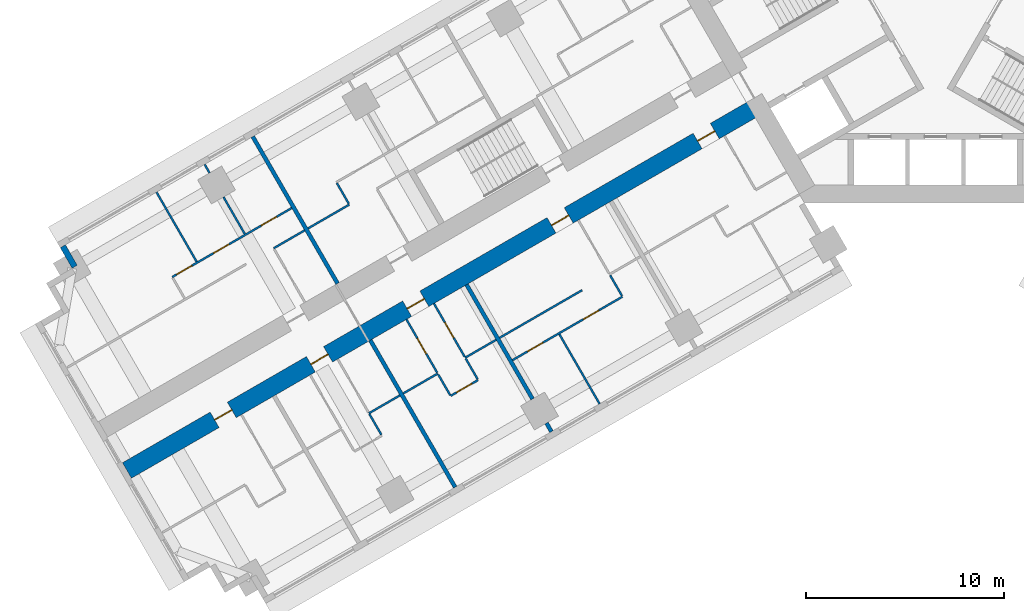
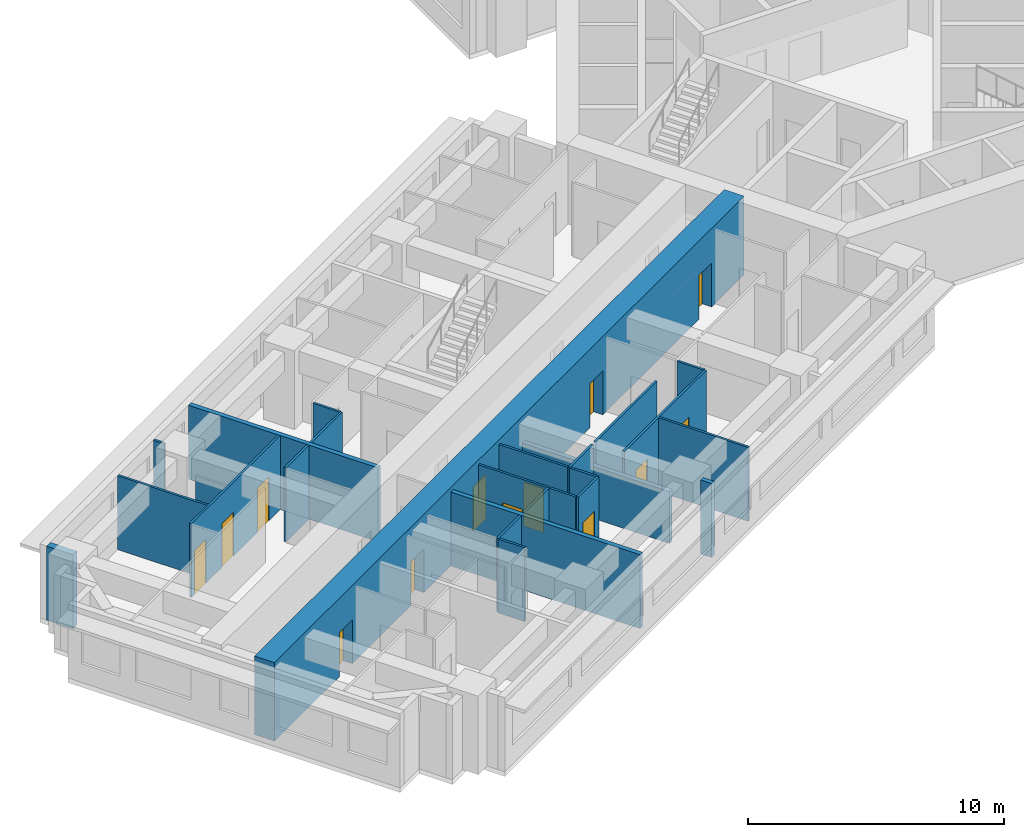
# One storey, part 4 of 16: 26 walls, 13 doors, 13 openings.
"""IFC4 building model written with IfcOpenShell, lengths in metres."""

from ifc_helpers import new_model, si_unit, direction, frame, frame_2d, origin, place, context, subcontext, project, spatial, rectangle, extrude, material, layer, layer_set, type_object, element, fill, save


model = new_model("IFC4")

# Units and contexts
model_context = context("Model", 3, precision=1e-05, world=origin(), true_north=direction((0.0, 1.0)))
body_context = subcontext(model_context, "Body", "Model", "MODEL_VIEW")
ifc_project = project(units=[si_unit("LENGTHUNIT", "METRE"), si_unit("AREAUNIT", "SQUARE_METRE"), si_unit("VOLUMEUNIT", "CUBIC_METRE"), si_unit("PLANEANGLEUNIT", "RADIAN"), si_unit("MASSUNIT", "GRAM", prefix="KILO")], contexts=[model_context])

# Site, building, storey
site_placement = place(None, origin())
site = spatial("IfcSite", under=ifc_project, at=site_placement, CompositionType="ELEMENT")
building_placement = place(site_placement, origin())
building = spatial("IfcBuilding", under=site, at=building_placement, Name="Impinga Residences", CompositionType="ELEMENT")
storey_placement = place(building_placement, frame((0.0, 0.0, 71.0)))
storey = spatial("IfcBuildingStorey", under=building, at=storey_placement, Name="L17", CompositionType="ELEMENT", Elevation=71.0)

# Wall, openings, doors
ifc_material_1 = material(Name="Concrete C70/85", Category="concrete")
ifc_layer_1 = layer(ifc_material_1, 0.89990234375)
ifc_layer_set_1 = layer_set([ifc_layer_1], Name="Concrete C70/85")
wall_type_1 = type_object("IfcWallType", Name="BW1 corridor buttress wall, L05 to L22 900", PredefinedType="SHEAR", material=ifc_layer_set_1)
wall_1_placement = place(storey_placement, frame((-8.910400390625, -6.530029296875, 0.0), z_axis=(0.0, 0.0, 1.0), x_axis=(-0.866025284237, -0.500000207062, 0.0)))
wall_1 = element("IfcWall", 1, at=wall_1_placement, inside=storey, type_object=wall_type_1, Name="Corridor wall BW1 WC L17", PredefinedType="SHEAR", context=body_context, shape_type="SweptSolid", body=[
    extrude(rectangle(XDim=36.75, YDim=0.89990234375, at=frame_2d((18.375, 0.0))), origin(), (0.0, 0.0, 1.0), 3.75),
])
opening_1_placement = place(wall_1_placement, frame((2.550048828125, 0.0, 0.0)))
opening_1 = element("IfcOpeningElement", 2, at=opening_1_placement, cuts=wall_1, Name="Opening D1", PredefinedType="OPENING", context=body_context, shape_type="SweptSolid", body=[
    extrude(rectangle(XDim=1.0, YDim=2.10009765625, at=frame_2d((0.5, 1.050048828125))), frame((0.0, 0.4599609375, 0.0), z_axis=(0.0, -1.0, 0.0), x_axis=(1.0, 0.0, 0.0)), (0.0, 0.0, 1.0), 0.919921875),
])
opening_2_placement = place(wall_1_placement, frame((11.050048828125, 0.0, 0.0)))
opening_2 = element("IfcOpeningElement", 3, at=opening_2_placement, cuts=wall_1, Name="Opening D1", PredefinedType="OPENING", context=body_context, shape_type="SweptSolid", body=[
    extrude(rectangle(XDim=1.0, YDim=2.10009765625, at=frame_2d((0.5, 1.050048828125))), frame((0.0, 0.4599609375, 0.0), z_axis=(0.0, -1.0, 0.0), x_axis=(1.0, 0.0, 0.0)), (0.0, 0.0, 1.0), 0.919921875),
])
opening_3_placement = place(wall_1_placement, frame((19.449951171875, 0.0, 0.0)))
opening_3 = element("IfcOpeningElement", 4, at=opening_3_placement, cuts=wall_1, Name="Opening D1", PredefinedType="OPENING", context=body_context, shape_type="SweptSolid", body=[
    extrude(rectangle(XDim=1.0, YDim=2.10009765625, at=frame_2d((0.5, 1.050048828125))), frame((0.0, 0.4599609375, 0.0), z_axis=(0.0, -1.0, 0.0), x_axis=(1.0, 0.0, 0.0)), (0.0, 0.0, 1.0), 0.919921875),
])
opening_4_placement = place(wall_1_placement, frame((25.050048828125, 0.0, 0.0)))
opening_4 = element("IfcOpeningElement", 5, at=opening_4_placement, cuts=wall_1, Name="Opening D1", PredefinedType="OPENING", context=body_context, shape_type="SweptSolid", body=[
    extrude(rectangle(XDim=1.0, YDim=2.10009765625, at=frame_2d((0.5, 1.050048828125))), frame((0.0, 0.4599609375, 0.0), z_axis=(0.0, -1.0, 0.0), x_axis=(1.0, 0.0, 0.0)), (0.0, 0.0, 1.0), 0.919921875),
])
opening_5_placement = place(wall_1_placement, frame((30.64990234375, 0.0, 0.0)))
opening_5 = element("IfcOpeningElement", 6, at=opening_5_placement, cuts=wall_1, Name="Opening D1", PredefinedType="OPENING", context=body_context, shape_type="SweptSolid", body=[
    extrude(rectangle(XDim=1.0, YDim=2.10009765625, at=frame_2d((0.5, 1.050048828125))), frame((0.0, 0.4599609375, 0.0), z_axis=(0.0, -1.0, 0.0), x_axis=(1.0, 0.0, 0.0)), (0.0, 0.0, 1.0), 0.919921875),
])
ifc_material_2 = material(Name="Timber door set", Category="wood")
door_type_1 = type_object("IfcDoorType", Name="D1 apartment entrance door 1000x2100", OperationType="SINGLE_SWING_LEFT", PredefinedType="DOOR", material=ifc_material_2)
door_1_placement = place(opening_1_placement, origin())
door_1 = element("IfcDoor", 7, at=door_1_placement, inside=storey, type_object=door_type_1, Name="Apartment L17-WA1 entrance", OperationType="SINGLE_SWING_LEFT", OverallHeight=2.10009765625, OverallWidth=1.0, PredefinedType="DOOR", context=body_context, shape_type="SweptSolid", body=[
    extrude(rectangle(XDim=1.0, YDim=2.10009765625, at=frame_2d((0.5, 1.050048828125))), frame((0.0, 0.02490234375, 0.0), z_axis=(0.0, -1.0, 0.0), x_axis=(1.0, 0.0, 0.0)), (0.0, 0.0, 1.0), 0.050048828125),
])
fill(opening_1, door_1)
door_2_placement = place(opening_2_placement, origin())
door_2 = element("IfcDoor", 8, at=door_2_placement, inside=storey, type_object=door_type_1, Name="Apartment L17-WA2 entrance", OperationType="SINGLE_SWING_LEFT", OverallHeight=2.10009765625, OverallWidth=1.0, PredefinedType="DOOR", context=body_context, shape_type="SweptSolid", body=[
    extrude(rectangle(XDim=1.0, YDim=2.10009765625, at=frame_2d((0.5, 1.050048828125))), frame((0.0, 0.02490234375, 0.0), z_axis=(0.0, -1.0, 0.0), x_axis=(1.0, 0.0, 0.0)), (0.0, 0.0, 1.0), 0.050048828125),
])
fill(opening_2, door_2)
door_3_placement = place(opening_3_placement, origin())
door_3 = element("IfcDoor", 9, at=door_3_placement, inside=storey, type_object=door_type_1, Name="Apartment L17-WA3 entrance", OperationType="SINGLE_SWING_RIGHT", OverallHeight=2.10009765625, OverallWidth=1.0, PredefinedType="DOOR", context=body_context, shape_type="SweptSolid", body=[
    extrude(rectangle(XDim=1.0, YDim=2.10009765625, at=frame_2d((0.5, 1.050048828125))), frame((0.0, 0.02490234375, 0.0), z_axis=(0.0, -1.0, 0.0), x_axis=(1.0, 0.0, 0.0)), (0.0, 0.0, 1.0), 0.050048828125),
])
fill(opening_3, door_3)
door_4_placement = place(opening_4_placement, origin())
door_4 = element("IfcDoor", 10, at=door_4_placement, inside=storey, type_object=door_type_1, Name="Apartment L17-WA4 entrance", OperationType="SINGLE_SWING_RIGHT", OverallHeight=2.10009765625, OverallWidth=1.0, PredefinedType="DOOR", context=body_context, shape_type="SweptSolid", body=[
    extrude(rectangle(XDim=1.0, YDim=2.10009765625, at=frame_2d((0.5, 1.050048828125))), frame((0.0, 0.02490234375, 0.0), z_axis=(0.0, -1.0, 0.0), x_axis=(1.0, 0.0, 0.0)), (0.0, 0.0, 1.0), 0.050048828125),
])
fill(opening_4, door_4)
door_5_placement = place(opening_5_placement, origin())
door_5 = element("IfcDoor", 11, at=door_5_placement, inside=storey, type_object=door_type_1, Name="Apartment L17-WA5 entrance", OperationType="SINGLE_SWING_RIGHT", OverallHeight=2.10009765625, OverallWidth=1.0, PredefinedType="DOOR", context=body_context, shape_type="SweptSolid", body=[
    extrude(rectangle(XDim=1.0, YDim=2.10009765625, at=frame_2d((0.5, 1.050048828125))), frame((0.0, 0.02490234375, 0.0), z_axis=(0.0, -1.0, 0.0), x_axis=(1.0, 0.0, 0.0)), (0.0, 0.0, 1.0), 0.050048828125),
])
fill(opening_5, door_5)

# Walls
ifc_material_3 = material(Name="Terracotta rainscreen on blockwork", Category="masonry")
ifc_layer_2 = layer(ifc_material_3, 0.300048828125)
ifc_layer_set_2 = layer_set([ifc_layer_2], Name="EW1 external wall, terracotta rainscreen on blockwork 300")
wall_type_2 = type_object("IfcWallType", Name="EW1 external wall, terracotta rainscreen on blockwork 300", PredefinedType="SOLIDWALL", material=ifc_layer_set_2)
wall_2_placement = place(storey_placement, frame((-43.37109375, -14.64208984375, 0.0), z_axis=(0.0, 0.0, 1.0), x_axis=(-0.500029051137, 0.866008630453, 0.0)))
element("IfcWall", 12, at=wall_2_placement, inside=storey, type_object=wall_type_2, Name="External wall EW1 L17", PredefinedType="SOLIDWALL", context=body_context, shape_type="SweptSolid", body=[
    extrude(rectangle(XDim=1.19482421875, YDim=0.300048828125, at=frame_2d((0.597412109375, 0.0))), origin(), (0.0, 0.0, 1.0), 3.530029296875),
])
ifc_material_4 = material(Name="Gypsum board on steel studs", Category="steel")
ifc_layer_3 = layer(ifc_material_4, 0.10009765625)
ifc_layer_set_3 = layer_set([ifc_layer_3], Name="Gypsum board on steel studs")
wall_type_3 = type_object("IfcWallType", Name="IP1 partition 100", PredefinedType="PARTITIONING", material=ifc_layer_set_3)
wall_3_placement = place(storey_placement, frame((-17.8056640625, -15.82275390625, 0.0), z_axis=(0.0, 0.0, 1.0), x_axis=(-0.866037363387, -0.499979284789, 0.0)))
element("IfcWall", 13, at=wall_3_placement, inside=storey, type_object=wall_type_3, Name="Partition L17-WA2:DIV1", PredefinedType="PARTITIONING", context=body_context, shape_type="SweptSolid", body=[
    extrude(rectangle(XDim=4.800048828125, YDim=0.10009765625, at=frame_2d((2.39990234375, 0.0))), origin(), (0.0, 0.0, 1.0), 3.530029296875),
])

# Wall, openings, doors
wall_4_placement = place(storey_placement, frame((-15.77001953125, -16.1484375, 0.0), z_axis=(0.0, 0.0, 1.0), x_axis=(-0.866018518567, -0.500011925357, 0.0)))
wall_4 = element("IfcWall", 14, at=wall_4_placement, inside=storey, type_object=wall_type_3, Name="Partition L17-WA2:STRIP", PredefinedType="PARTITIONING", context=body_context, shape_type="SweptSolid", body=[
    extrude(rectangle(XDim=6.400146484375, YDim=0.10009765625, at=frame_2d((3.2001953125, 0.0))), origin(), (0.0, 0.0, 1.0), 3.530029296875),
])
opening_6_placement = place(wall_4_placement, frame((1.375, 0.0, 0.0)))
opening_6 = element("IfcOpeningElement", 15, at=opening_6_placement, cuts=wall_4, Name="Opening D2", PredefinedType="OPENING", context=body_context, shape_type="SweptSolid", body=[
    extrude(rectangle(XDim=0.89990234375, YDim=2.10009765625, at=frame_2d((0.449951171875, 1.050048828125))), frame((0.0, 0.06005859375, 0.0), z_axis=(0.0, -1.0, 0.0), x_axis=(1.0, 0.0, 0.0)), (0.0, 0.0, 1.0), 0.1201171875),
])
opening_7_placement = place(wall_4_placement, frame((4.625, 0.0, 0.0)))
opening_7 = element("IfcOpeningElement", 16, at=opening_7_placement, cuts=wall_4, Name="Opening D2", PredefinedType="OPENING", context=body_context, shape_type="SweptSolid", body=[
    extrude(rectangle(XDim=0.89990234375, YDim=2.10009765625, at=frame_2d((0.449951171875, 1.050048828125))), frame((0.0, 0.06005859375, 0.0), z_axis=(0.0, -1.0, 0.0), x_axis=(1.0, 0.0, 0.0)), (0.0, 0.0, 1.0), 0.1201171875),
])
door_type_2 = type_object("IfcDoorType", Name="D2 internal door 900x2100", OperationType="SINGLE_SWING_LEFT", PredefinedType="DOOR", material=ifc_material_2)
door_6_placement = place(opening_6_placement, origin())
door_6 = element("IfcDoor", 17, at=door_6_placement, inside=storey, type_object=door_type_2, Name="Apartment L17-WA2 room door", OperationType="SINGLE_SWING_LEFT", OverallHeight=2.10009765625, OverallWidth=0.89990234375, PredefinedType="DOOR", context=body_context, shape_type="SweptSolid", body=[
    extrude(rectangle(XDim=0.89990234375, YDim=2.10009765625, at=frame_2d((0.449951171875, 1.050048828125))), frame((0.0, 0.02490234375, 0.0), z_axis=(0.0, -1.0, 0.0), x_axis=(1.0, 0.0, 0.0)), (0.0, 0.0, 1.0), 0.050048828125),
])
fill(opening_6, door_6)
door_7_placement = place(opening_7_placement, origin())
door_7 = element("IfcDoor", 18, at=door_7_placement, inside=storey, type_object=door_type_2, Name="Apartment L17-WA2 room door", OperationType="SINGLE_SWING_RIGHT", OverallHeight=2.10009765625, OverallWidth=0.89990234375, PredefinedType="DOOR", context=body_context, shape_type="SweptSolid", body=[
    extrude(rectangle(XDim=0.89990234375, YDim=2.10009765625, at=frame_2d((0.449951171875, 1.050048828125))), frame((0.0, 0.02490234375, 0.0), z_axis=(0.0, -1.0, 0.0), x_axis=(1.0, 0.0, 0.0)), (0.0, 0.0, 1.0), 0.050048828125),
])
fill(opening_7, door_7)

# Walls
wall_5_placement = place(storey_placement, frame((-16.39501953125, -15.06591796875, 0.0), z_axis=(0.0, 0.0, 1.0), x_axis=(0.499880961361, -0.866094119867, 0.0)))
element("IfcWall", 19, at=wall_5_placement, inside=storey, type_object=wall_type_3, Name="Partition L17-WA2:SE0", PredefinedType="PARTITIONING", context=body_context, shape_type="SweptSolid", body=[
    extrude(rectangle(XDim=1.199951171875, YDim=0.10009765625, at=frame_2d((0.60009765625, 0.0))), origin(), (0.0, 0.0, 1.0), 3.530029296875),
])
wall_6_placement = place(storey_placement, frame((-18.949462890625, -18.041748046875, 0.0), z_axis=(0.0, 0.0, 1.0), x_axis=(0.50000943426, -0.866019956843, 0.0)))
element("IfcWall", 20, at=wall_6_placement, inside=storey, type_object=wall_type_3, Name="Partition L17-WA2:OB1", PredefinedType="PARTITIONING", context=body_context, shape_type="SweptSolid", body=[
    extrude(rectangle(XDim=4.05029296875, YDim=0.10009765625, at=frame_2d((2.025146484375, 0.0))), origin(), (0.0, 0.0, 1.0), 3.530029296875),
])
wall_7_placement = place(storey_placement, frame((-22.1357421875, -18.32275390625, 0.0), z_axis=(0.0, 0.0, 1.0), x_axis=(-0.866047807691, -0.499961193289, 0.0)))
element("IfcWall", 21, at=wall_7_placement, inside=storey, type_object=wall_type_3, Name="Partition L17-WA3:DIV0", PredefinedType="PARTITIONING", context=body_context, shape_type="SweptSolid", body=[
    extrude(rectangle(XDim=1.800048828125, YDim=0.10009765625, at=frame_2d((0.89990234375, 0.0))), origin(), (0.0, 0.0, 1.0), 3.530029296875),
])
wall_8_placement = place(storey_placement, frame((-25.080322265625, -20.022705078125, 0.0), z_axis=(0.0, 0.0, 1.0), x_axis=(-0.866010750942, -0.50002537861, 0.0)))
element("IfcWall", 22, at=wall_8_placement, inside=storey, type_object=wall_type_3, Name="Partition L17-WA3:DIV1", PredefinedType="PARTITIONING", context=body_context, shape_type="SweptSolid", body=[
    extrude(rectangle(XDim=2.0, YDim=0.10009765625, at=frame_2d((1.0, 0.0))), origin(), (0.0, 0.0, 1.0), 3.530029296875),
])

# Wall, opening, door
wall_9_placement = place(storey_placement, frame((-23.044677734375, -20.3486328125, 0.0), z_axis=(0.0, 0.0, 1.0), x_axis=(-0.866094119867, -0.499880961361, 0.0)))
wall_9 = element("IfcWall", 23, at=wall_9_placement, inside=storey, type_object=wall_type_3, Name="Partition L17-WA3:STRIP", PredefinedType="PARTITIONING", context=body_context, shape_type="SweptSolid", body=[
    extrude(rectangle(XDim=1.60009765625, YDim=0.10009765625, at=frame_2d((0.800048828125, 0.0))), origin(), (0.0, 0.0, 1.0), 3.530029296875),
])
opening_8_placement = place(wall_9_placement, frame((0.35009765625, 0.0, 0.0)))
opening_8 = element("IfcOpeningElement", 24, at=opening_8_placement, cuts=wall_9, Name="Opening D2", PredefinedType="OPENING", context=body_context, shape_type="SweptSolid", body=[
    extrude(rectangle(XDim=0.89990234375, YDim=2.10009765625, at=frame_2d((0.449951171875, 1.050048828125))), frame((0.0, 0.06005859375, 0.0), z_axis=(0.0, -1.0, 0.0), x_axis=(1.0, 0.0, 0.0)), (0.0, 0.0, 1.0), 0.1201171875),
])
door_8_placement = place(opening_8_placement, origin())
door_8 = element("IfcDoor", 25, at=door_8_placement, inside=storey, type_object=door_type_2, Name="Apartment L17-WA3 room door", OperationType="SINGLE_SWING_LEFT", OverallHeight=2.10009765625, OverallWidth=0.89990234375, PredefinedType="DOOR", context=body_context, shape_type="SweptSolid", body=[
    extrude(rectangle(XDim=0.89990234375, YDim=2.10009765625, at=frame_2d((0.449951171875, 1.050048828125))), frame((0.0, 0.02490234375, 0.0), z_axis=(0.0, -1.0, 0.0), x_axis=(1.0, 0.0, 0.0)), (0.0, 0.0, 1.0), 0.050048828125),
])
fill(opening_8, door_8)

# Walls
for number, where, z_axis, x_axis, name in (
    (26, (-23.669677734375, -19.265869140625, 0.0), (0.0, 0.0, 1.0), (0.500033551112, -0.866006032174, 0.0), "Partition L17-WA3:SE0"),
    (27, (-25.055419921875, -20.06591796875, 0.0), (0.0, 0.0, 1.0), (0.500033551112, -0.866006032174, 0.0), "Partition L17-WA3:SE1"),
):
    element("IfcWall", number, at=place(storey_placement, frame(where, z_axis=z_axis, x_axis=x_axis)), inside=storey, type_object=wall_type_3, Name=name, PredefinedType="PARTITIONING", context=body_context, shape_type="SweptSolid", body=[
        extrude(rectangle(XDim=1.2001953125, YDim=0.10009765625, at=frame_2d((0.60009765625, 0.0))), origin(), (0.0, 0.0, 1.0), 3.530029296875),
    ])

# Wall, opening, door
wall_10_placement = place(storey_placement, frame((-25.269775390625, -16.49462890625, 0.0), z_axis=(0.0, 0.0, 1.0), x_axis=(0.49999285859, -0.86602952684, 0.0)))
wall_10 = element("IfcWall", 28, at=wall_10_placement, inside=storey, type_object=wall_type_3, Name="Partition L17-WA3:IB1", PredefinedType="PARTITIONING", context=body_context, shape_type="SweptSolid", body=[
    extrude(rectangle(XDim=3.10009765625, YDim=0.10009765625, at=frame_2d((1.550048828125, 0.0))), origin(), (0.0, 0.0, 1.0), 3.530029296875),
])
opening_9_placement = place(wall_10_placement, frame((1.10009765625, 0.0, 0.0)))
opening_9 = element("IfcOpeningElement", 29, at=opening_9_placement, cuts=wall_10, Name="Opening D2", PredefinedType="OPENING", context=body_context, shape_type="SweptSolid", body=[
    extrude(rectangle(XDim=0.89990234375, YDim=2.10009765625, at=frame_2d((0.449951171875, 1.050048828125))), frame((0.0, 0.06005859375, 0.0), z_axis=(0.0, -1.0, 0.0), x_axis=(1.0, 0.0, 0.0)), (0.0, 0.0, 1.0), 0.1201171875),
])
door_9_placement = place(opening_9_placement, origin())
door_9 = element("IfcDoor", 30, at=door_9_placement, inside=storey, type_object=door_type_2, Name="Apartment L17-WA3 bathroom door", OperationType="SINGLE_SWING_LEFT", OverallHeight=2.10009765625, OverallWidth=0.89990234375, PredefinedType="DOOR", context=body_context, shape_type="SweptSolid", body=[
    extrude(rectangle(XDim=0.89990234375, YDim=2.10009765625, at=frame_2d((0.449951171875, 1.050048828125))), frame((0.0, 0.02490234375, 0.0), z_axis=(0.0, -1.0, 0.0), x_axis=(1.0, 0.0, 0.0)), (0.0, 0.0, 1.0), 0.050048828125),
])
fill(opening_9, door_9)

wall_11_placement = place(storey_placement, frame((-26.6552734375, -17.294677734375, 0.0), z_axis=(0.0, 0.0, 1.0), x_axis=(0.49999285859, -0.86602952684, 0.0)))
wall_11 = element("IfcWall", 31, at=wall_11_placement, inside=storey, type_object=wall_type_3, Name="Partition L17-WA3:IB2", PredefinedType="PARTITIONING", context=body_context, shape_type="SweptSolid", body=[
    extrude(rectangle(XDim=3.10009765625, YDim=0.10009765625, at=frame_2d((1.550048828125, 0.0))), origin(), (0.0, 0.0, 1.0), 3.530029296875),
])
opening_10_placement = place(wall_11_placement, frame((1.10009765625, 0.0, 0.0)))
opening_10 = element("IfcOpeningElement", 32, at=opening_10_placement, cuts=wall_11, Name="Opening D2", PredefinedType="OPENING", context=body_context, shape_type="SweptSolid", body=[
    extrude(rectangle(XDim=0.89990234375, YDim=2.10009765625, at=frame_2d((0.449951171875, 1.050048828125))), frame((0.0, 0.06005859375, 0.0), z_axis=(0.0, -1.0, 0.0), x_axis=(1.0, 0.0, 0.0)), (0.0, 0.0, 1.0), 0.1201171875),
])
door_10_placement = place(opening_10_placement, origin())
door_10 = element("IfcDoor", 33, at=door_10_placement, inside=storey, type_object=door_type_2, Name="Apartment L17-WA3 WC door", OperationType="SINGLE_SWING_LEFT", OverallHeight=2.10009765625, OverallWidth=0.89990234375, PredefinedType="DOOR", context=body_context, shape_type="SweptSolid", body=[
    extrude(rectangle(XDim=0.89990234375, YDim=2.10009765625, at=frame_2d((0.449951171875, 1.050048828125))), frame((0.0, 0.02490234375, 0.0), z_axis=(0.0, -1.0, 0.0), x_axis=(1.0, 0.0, 0.0)), (0.0, 0.0, 1.0), 0.050048828125),
])
fill(opening_10, door_10)

# Walls
wall_12_placement = place(storey_placement, frame((-26.985595703125, -21.122802734375, 0.0), z_axis=(0.0, 0.0, 1.0), x_axis=(-0.866047807691, -0.499961193289, 0.0)))
element("IfcWall", 34, at=wall_12_placement, inside=storey, type_object=wall_type_3, Name="Partition L17-WA4:DIV0", PredefinedType="PARTITIONING", context=body_context, shape_type="SweptSolid", body=[
    extrude(rectangle(XDim=1.800048828125, YDim=0.10009765625, at=frame_2d((0.89990234375, 0.0))), origin(), (0.0, 0.0, 1.0), 3.530029296875),
])
wall_13_placement = place(storey_placement, frame((-28.51953125, -22.06591796875, 0.0), z_axis=(0.0, 0.0, 1.0), x_axis=(0.500033551112, -0.866006032174, 0.0)))
element("IfcWall", 35, at=wall_13_placement, inside=storey, type_object=wall_type_3, Name="Partition L17-WA4:SE0", PredefinedType="PARTITIONING", context=body_context, shape_type="SweptSolid", body=[
    extrude(rectangle(XDim=1.2001953125, YDim=0.10009765625, at=frame_2d((0.60009765625, 0.0))), origin(), (0.0, 0.0, 1.0), 3.530029296875),
])
wall_14_placement = place(storey_placement, frame((-29.533935546875, -11.5087890625, 0.0), z_axis=(0.0, 0.0, 1.0), x_axis=(-0.866024647952, -0.500001309137, 0.0)))
element("IfcWall", 36, at=wall_14_placement, inside=storey, type_object=wall_type_3, Name="Partition L17-WF2:DIV1", PredefinedType="PARTITIONING", context=body_context, shape_type="SweptSolid", body=[
    extrude(rectangle(XDim=2.39990234375, YDim=0.10009765625, at=frame_2d((1.199951171875, 0.0))), origin(), (0.0, 0.0, 1.0), 3.530029296875),
])
wall_15_placement = place(storey_placement, frame((-29.558837890625, -11.465576171875, 0.0), z_axis=(0.0, 0.0, 1.0), x_axis=(-0.500033551112, 0.866006032174, 0.0)))
element("IfcWall", 37, at=wall_15_placement, inside=storey, type_object=wall_type_3, Name="Partition L17-WF2:SE1", PredefinedType="PARTITIONING", context=body_context, shape_type="SweptSolid", body=[
    extrude(rectangle(XDim=1.2001953125, YDim=0.10009765625, at=frame_2d((0.60009765625, 0.0))), origin(), (0.0, 0.0, 1.0), 3.530029296875),
])
wall_16_placement = place(storey_placement, frame((-31.78564453125, -12.808837890625, 0.0), z_axis=(0.0, 0.0, 1.0), x_axis=(-0.866047807691, -0.499961193289, 0.0)))
element("IfcWall", 38, at=wall_16_placement, inside=storey, type_object=wall_type_3, Name="Partition L17-WF3:DIV0", PredefinedType="PARTITIONING", context=body_context, shape_type="SweptSolid", body=[
    extrude(rectangle(XDim=1.800048828125, YDim=0.10009765625, at=frame_2d((0.89990234375, 0.0))), origin(), (0.0, 0.0, 1.0), 3.530029296875),
])

# Wall, openings, doors
wall_17_placement = place(storey_placement, frame((-32.435546875, -11.68310546875, 0.0), z_axis=(0.0, 0.0, 1.0), x_axis=(-0.866031734426, -0.499989034847, 0.0)))
wall_17 = element("IfcWall", 39, at=wall_17_placement, inside=storey, type_object=wall_type_3, Name="Partition L17-WF3:STRIP", PredefinedType="PARTITIONING", context=body_context, shape_type="SweptSolid", body=[
    extrude(rectangle(XDim=6.949951171875, YDim=0.10009765625, at=frame_2d((3.47509765625, 0.0))), origin(), (0.0, 0.0, 1.0), 3.530029296875),
])
opening_11_placement = place(wall_17_placement, frame((0.875, 0.0, 0.0)))
opening_11 = element("IfcOpeningElement", 40, at=opening_11_placement, cuts=wall_17, Name="Opening D2", PredefinedType="OPENING", context=body_context, shape_type="SweptSolid", body=[
    extrude(rectangle(XDim=0.89990234375, YDim=2.10009765625, at=frame_2d((0.449951171875, 1.050048828125))), frame((0.0, 0.06005859375, 0.0), z_axis=(0.0, -1.0, 0.0), x_axis=(1.0, 0.0, 0.0)), (0.0, 0.0, 1.0), 0.1201171875),
])
opening_12_placement = place(wall_17_placement, frame((3.64990234375, 0.0, 0.0)))
opening_12 = element("IfcOpeningElement", 41, at=opening_12_placement, cuts=wall_17, Name="Opening D2", PredefinedType="OPENING", context=body_context, shape_type="SweptSolid", body=[
    extrude(rectangle(XDim=0.89990234375, YDim=2.10009765625, at=frame_2d((0.449951171875, 1.050048828125))), frame((0.0, 0.06005859375, 0.0), z_axis=(0.0, -1.0, 0.0), x_axis=(1.0, 0.0, 0.0)), (0.0, 0.0, 1.0), 0.1201171875),
])
opening_13_placement = place(wall_17_placement, frame((5.800048828125, 0.0, 0.0)))
opening_13 = element("IfcOpeningElement", 42, at=opening_13_placement, cuts=wall_17, Name="Opening D2", PredefinedType="OPENING", context=body_context, shape_type="SweptSolid", body=[
    extrude(rectangle(XDim=0.89990234375, YDim=2.10009765625, at=frame_2d((0.449951171875, 1.050048828125))), frame((0.0, 0.06005859375, 0.0), z_axis=(0.0, -1.0, 0.0), x_axis=(1.0, 0.0, 0.0)), (0.0, 0.0, 1.0), 0.1201171875),
])
door_11_placement = place(opening_11_placement, origin())
door_11 = element("IfcDoor", 43, at=door_11_placement, inside=storey, type_object=door_type_2, Name="Apartment L17-WF3 room door", OperationType="SINGLE_SWING_LEFT", OverallHeight=2.10009765625, OverallWidth=0.89990234375, PredefinedType="DOOR", context=body_context, shape_type="SweptSolid", body=[
    extrude(rectangle(XDim=0.89990234375, YDim=2.10009765625, at=frame_2d((0.449951171875, 1.050048828125))), frame((0.0, 0.02490234375, 0.0), z_axis=(0.0, -1.0, 0.0), x_axis=(1.0, 0.0, 0.0)), (0.0, 0.0, 1.0), 0.050048828125),
])
fill(opening_11, door_11)
door_12_placement = place(opening_12_placement, origin())
door_12 = element("IfcDoor", 44, at=door_12_placement, inside=storey, type_object=door_type_2, Name="Apartment L17-WF3 room door", OperationType="SINGLE_SWING_RIGHT", OverallHeight=2.10009765625, OverallWidth=0.89990234375, PredefinedType="DOOR", context=body_context, shape_type="SweptSolid", body=[
    extrude(rectangle(XDim=0.89990234375, YDim=2.10009765625, at=frame_2d((0.449951171875, 1.050048828125))), frame((0.0, 0.02490234375, 0.0), z_axis=(0.0, -1.0, 0.0), x_axis=(1.0, 0.0, 0.0)), (0.0, 0.0, 1.0), 0.050048828125),
])
fill(opening_12, door_12)
door_13_placement = place(opening_13_placement, origin())
door_13 = element("IfcDoor", 45, at=door_13_placement, inside=storey, type_object=door_type_2, Name="Apartment L17-WF3 room door", OperationType="SINGLE_SWING_RIGHT", OverallHeight=2.10009765625, OverallWidth=0.89990234375, PredefinedType="DOOR", context=body_context, shape_type="SweptSolid", body=[
    extrude(rectangle(XDim=0.89990234375, YDim=2.10009765625, at=frame_2d((0.449951171875, 1.050048828125))), frame((0.0, 0.02490234375, 0.0), z_axis=(0.0, -1.0, 0.0), x_axis=(1.0, 0.0, 0.0)), (0.0, 0.0, 1.0), 0.050048828125),
])
fill(opening_13, door_13)

# Walls
wall_18_placement = place(storey_placement, frame((-34.798828125, -12.98974609375, 0.0), z_axis=(0.0, 0.0, 1.0), x_axis=(-0.499961633463, 0.866047553582, 0.0)))
element("IfcWall", 46, at=wall_18_placement, inside=storey, type_object=wall_type_3, Name="Partition L17-WF3:OB1", PredefinedType="PARTITIONING", context=body_context, shape_type="SweptSolid", body=[
    extrude(rectangle(XDim=2.150146484375, YDim=0.10009765625, at=frame_2d((1.0751953125, 0.0))), origin(), (0.0, 0.0, 1.0), 2.47998046875),
])
wall_19_placement = place(storey_placement, frame((-36.57373046875, -9.915283203125, 0.0), z_axis=(0.0, 0.0, 1.0), x_axis=(-0.500131122175, 0.865949687125, 0.0)))
element("IfcWall", 47, at=wall_19_placement, inside=storey, type_object=wall_type_3, Name="Partition L17-WF3:OB1b", PredefinedType="PARTITIONING", context=body_context, shape_type="SweptSolid", body=[
    extrude(rectangle(XDim=0.499755859375, YDim=0.10009765625, at=frame_2d((0.25, 0.0))), origin(), (0.0, 0.0, 1.0), 3.530029296875),
])
wall_20_placement = place(storey_placement, frame((-37.2236328125, -14.3896484375, 0.0), z_axis=(0.0, 0.0, 1.0), x_axis=(-0.500035537042, 0.866004885491, 0.0)))
element("IfcWall", 48, at=wall_20_placement, inside=storey, type_object=wall_type_3, Name="Partition L17-WF3:OB2", PredefinedType="PARTITIONING", context=body_context, shape_type="SweptSolid", body=[
    extrude(rectangle(XDim=4.050048828125, YDim=0.10009765625, at=frame_2d((2.02490234375, 0.0))), origin(), (0.0, 0.0, 1.0), 3.530029296875),
])
ifc_material_5 = material(Name="Concrete blockwork", Category="masonry")
ifc_layer_4 = layer(ifc_material_5, 0.199951171875)
ifc_layer_set_4 = layer_set([ifc_layer_4], Name="PW1 party wall between apartments 200")
wall_type_4 = type_object("IfcWallType", Name="PW1 party wall between apartments 200", PredefinedType="SOLIDWALL", material=ifc_layer_set_4)
wall_21_placement = place(storey_placement, frame((-23.624267578125, -15.544677734375, 0.0), z_axis=(0.0, 0.0, 1.0), x_axis=(0.49999681972, -0.866027239912, 0.0)))
element("IfcWall", 49, at=wall_21_placement, inside=storey, type_object=wall_type_4, Name="Party wall between apartments L17-WA2:PARTY", PredefinedType="SOLIDWALL", context=body_context, shape_type="SweptSolid", body=[
    extrude(rectangle(XDim=6.64990234375, YDim=0.199951171875, at=frame_2d((3.324951171875, 0.0))), origin(), (0.0, 0.0, 1.0), 2.47998046875),
])
wall_22_placement = place(storey_placement, frame((-19.59912109375, -22.51611328125, 0.0), z_axis=(0.0, 0.0, 1.0), x_axis=(0.499919672301, -0.866071776036, 0.0)))
element("IfcWall", 50, at=wall_22_placement, inside=storey, type_object=wall_type_4, Name="Party wall between apartments L17-WA2:PARTYb", PredefinedType="SOLIDWALL", context=body_context, shape_type="SweptSolid", body=[
    extrude(rectangle(XDim=0.5, YDim=0.199951171875, at=frame_2d((0.25, 0.0))), origin(), (0.0, 0.0, 1.0), 3.530029296875),
])
for number, where, z_axis, x_axis, name in (
    (51, (-28.473876953125, -18.3447265625, 0.0), (0.0, 0.0, 1.0), (0.499990227581, -0.86603104582, 0.0), "Party wall between apartments L17-WA3:PARTY"),
    (52, (-30.1240234375, -15.48681640625, 0.0), (0.0, 0.0, 1.0), (-0.499990227581, 0.86603104582, 0.0), "Party wall between apartments L17-WF2:PARTY"),
):
    element("IfcWall", number, at=place(storey_placement, frame(where, z_axis=z_axis, x_axis=x_axis)), inside=storey, type_object=wall_type_4, Name=name, PredefinedType="SOLIDWALL", context=body_context, shape_type="SweptSolid", body=[
        extrude(rectangle(XDim=8.550048828125, YDim=0.199951171875, at=frame_2d((4.27490234375, 0.0))), origin(), (0.0, 0.0, 1.0), 3.530029296875),
    ])

save(model, "model.ifc")
